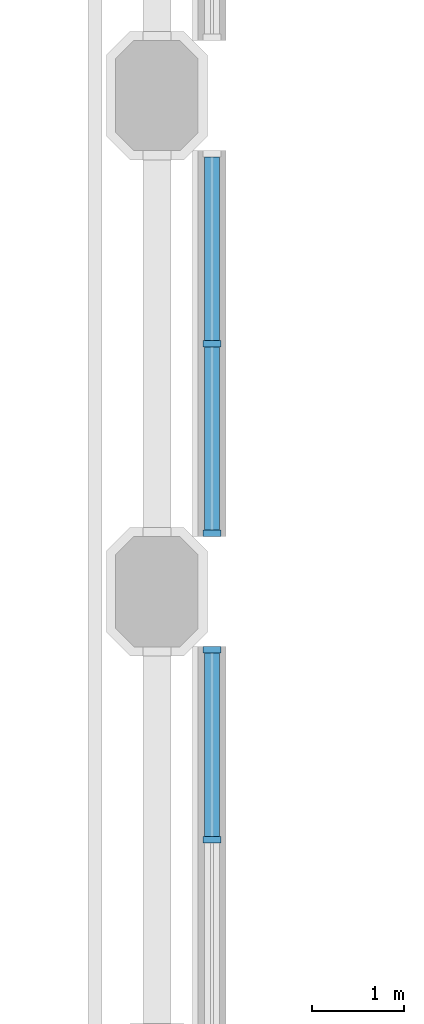
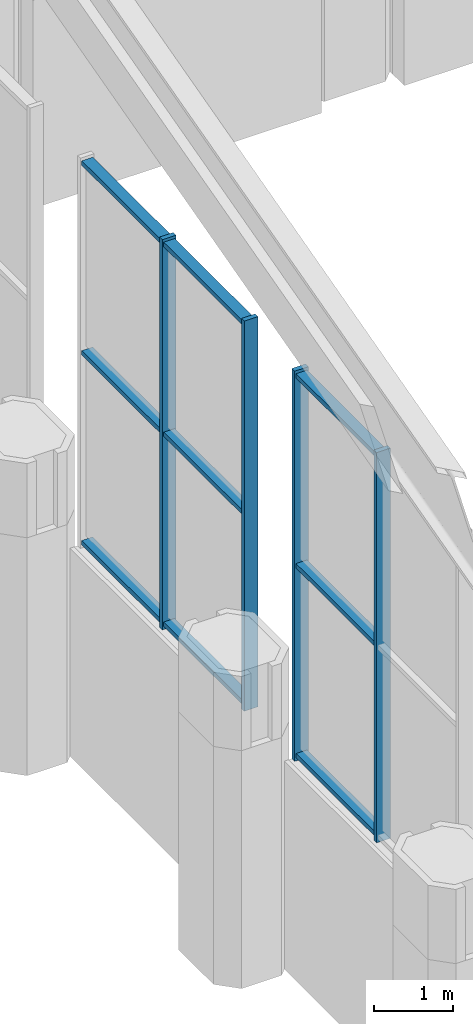
# One storey, part 14 of 42: 13 members, 2 elements without a shape of their own.
"""IFC4 building model written with IfcOpenShell, lengths in metres."""

from ifc_helpers import new_model, si_unit, direction, frame, origin, origin_2d, place, context, subcontext, project, spatial, rectangle, extrude, material, material_profile, profile_set, type_object, element, aggregate, save


model = new_model("IFC4")

# Units and contexts
model_context = context("Model", 3, precision=1e-05, world=origin(), true_north=direction((0.0, 1.0)))
body_context = subcontext(model_context, "Body", "Model", "MODEL_VIEW")
ifc_project = project(units=[si_unit("LENGTHUNIT", "METRE"), si_unit("AREAUNIT", "SQUARE_METRE"), si_unit("VOLUMEUNIT", "CUBIC_METRE"), si_unit("PLANEANGLEUNIT", "RADIAN"), si_unit("MASSUNIT", "GRAM", prefix="KILO")], contexts=[model_context])

# Site, building, storey
site_placement = place(None, origin())
site = spatial("IfcSite", under=ifc_project, at=site_placement, CompositionType="ELEMENT")
building_placement = place(site_placement, origin())
building = spatial("IfcBuilding", under=site, at=building_placement, Name="Tabaq Tower and Sports Hall", CompositionType="ELEMENT")
storey_placement = place(building_placement, frame((0.0, 0.0, 19.800048828125)))
storey = spatial("IfcBuildingStorey", under=building, at=storey_placement, Name="L03", CompositionType="ELEMENT", Elevation=19.800048828125)

# Curtain wall, members
ifc_material_1 = material(Name="Aluminium alloy 6063-T6 framed glazing", Category="aluminium")
curtain_wall_type = type_object("IfcCurtainWallType", Name="CW6 curtain wall", PredefinedType="USERDEFINED", material=ifc_material_1)
curtain_wall_1_placement = place(storey_placement, origin())
curtain_wall_1 = element("IfcCurtainWall", 1, at=curtain_wall_1_placement, inside=storey, type_object=curtain_wall_type, Name="L03 W hall glazing run", ObjectType="HALL FACADE WALL", PredefinedType="USERDEFINED")
ifc_material_2 = material(Name="Aluminium alloy 6063-T6", Category="aluminium")
ifc_material_profile_1 = material_profile(ifc_material_2, rectangle(XDim=0.199951171875, YDim=0.070068359375, at=origin_2d()), Name="MULLION 200x70")
ifc_profile_set_1 = profile_set([ifc_material_profile_1], Name="Aluminium alloy 6063-T6")
member_type_1 = type_object("IfcMemberType", Name="CW6 mullion 200x70", PredefinedType="MULLION", material=ifc_profile_set_1)
member_1_placement = place(storey_placement, frame((65.39990234375, 24.300048828125, 3.199951171875), z_axis=(0.0, 0.0, 1.0), x_axis=(-1.0, 0.0, 0.0)))
member_1 = element("IfcMember", 2, at=member_1_placement, type_object=member_type_1, Name="CW6 mullion 2", PredefinedType="MULLION", context=body_context, shape_type="SweptSolid", body=[
    extrude(rectangle(XDim=0.199951171875, YDim=0.070068359375, at=origin_2d()), origin(), (0.0, 0.0, 1.0), 6.0),
])
member_2_placement = place(storey_placement, frame((65.39990234375, 26.364990234375, 3.199951171875), z_axis=(0.0, 0.0, 1.0), x_axis=(-1.0, 0.0, 0.0)))
member_2 = element("IfcMember", 3, at=member_2_placement, type_object=member_type_1, Name="CW6 mullion 3", PredefinedType="MULLION", context=body_context, shape_type="SweptSolid", body=[
    extrude(rectangle(XDim=0.199951171875, YDim=0.070068359375, at=origin_2d()), origin(), (0.0, 0.0, 1.0), 6.0),
])

curtain_wall_2_placement = place(storey_placement, origin())
curtain_wall_2 = element("IfcCurtainWall", 4, at=curtain_wall_2_placement, inside=storey, type_object=curtain_wall_type, Name="L03 W hall glazing run", ObjectType="HALL FACADE WALL", PredefinedType="USERDEFINED")
member_3_placement = place(storey_placement, frame((65.39990234375, 27.635009765625, 3.199951171875), z_axis=(0.0, 0.0, 1.0), x_axis=(-1.0, 0.0, 0.0)))
member_3 = element("IfcMember", 5, at=member_3_placement, type_object=member_type_1, Name="CW6 mullion 1", PredefinedType="MULLION", context=body_context, shape_type="SweptSolid", body=[
    extrude(rectangle(XDim=0.199951171875, YDim=0.070068359375, at=origin_2d()), origin(), (0.0, 0.0, 1.0), 6.0),
])
member_4_placement = place(storey_placement, frame((65.39990234375, 29.699951171875, 3.199951171875), z_axis=(0.0, 0.0, 1.0), x_axis=(-1.0, 0.0, 0.0)))
member_4 = element("IfcMember", 6, at=member_4_placement, type_object=member_type_1, Name="CW6 mullion 2", PredefinedType="MULLION", context=body_context, shape_type="SweptSolid", body=[
    extrude(rectangle(XDim=0.199951171875, YDim=0.070068359375, at=origin_2d()), origin(), (0.0, 0.0, 1.0), 6.0),
])

# Member
ifc_material_3 = material(Name="Aluminium alloy 6063-T6", Category="aluminium")
ifc_material_profile_2 = material_profile(ifc_material_3, rectangle(XDim=0.159912109375, YDim=0.070068359375, at=origin_2d()), Name="TRANSOM 160x70")
ifc_profile_set_2 = profile_set([ifc_material_profile_2], Name="Aluminium alloy 6063-T6")
member_type_2 = type_object("IfcMemberType", Name="CW6 transom 160x70", PredefinedType="USERDEFINED", material=ifc_profile_set_2)
member_5_placement = place(storey_placement, frame((65.39990234375, 24.3349609375, 3.280029296875), z_axis=(0.0, 1.0, 0.0), x_axis=(-1.0, 0.0, 0.0)))
member_5 = element("IfcMember", 7, at=member_5_placement, type_object=member_type_2, Name="CW6 transom 2.1", ObjectType="TRANSOM", PredefinedType="USERDEFINED", context=body_context, shape_type="SweptSolid", body=[
    extrude(rectangle(XDim=0.159912109375, YDim=0.070068359375, at=origin_2d()), origin(), (0.0, 0.0, 1.0), 1.9951171875),
])

member_6_placement = place(storey_placement, frame((65.39990234375, 24.3349609375, 6.199951171875), z_axis=(0.0, 1.0, 0.0), x_axis=(-1.0, 0.0, 0.0)))
member_6 = element("IfcMember", 8, at=member_6_placement, type_object=member_type_2, Name="CW6 transom 2.2", ObjectType="TRANSOM", PredefinedType="USERDEFINED", context=body_context, shape_type="SweptSolid", body=[
    extrude(rectangle(XDim=0.159912109375, YDim=0.070068359375, at=origin_2d()), origin(), (0.0, 0.0, 1.0), 1.9951171875),
])

member_7_placement = place(storey_placement, frame((65.39990234375, 24.3349609375, 9.119873046875), z_axis=(0.0, 1.0, 0.0), x_axis=(-1.0, 0.0, 0.0)))
member_7 = element("IfcMember", 9, at=member_7_placement, type_object=member_type_2, Name="CW6 transom 2.3", ObjectType="TRANSOM", PredefinedType="USERDEFINED", context=body_context, shape_type="SweptSolid", body=[
    extrude(rectangle(XDim=0.159912109375, YDim=0.070068359375, at=origin_2d()), origin(), (0.0, 0.0, 1.0), 1.9951171875),
])

aggregate(curtain_wall_1, [member_1, member_2, member_5, member_6, member_7])

member_8_placement = place(storey_placement, frame((65.39990234375, 27.669921875, 3.280029296875), z_axis=(0.0, 1.0, 0.0), x_axis=(-1.0, 0.0, 0.0)))
member_8 = element("IfcMember", 10, at=member_8_placement, type_object=member_type_2, Name="CW6 transom 1.1", ObjectType="TRANSOM", PredefinedType="USERDEFINED", context=body_context, shape_type="SweptSolid", body=[
    extrude(rectangle(XDim=0.159912109375, YDim=0.070068359375, at=origin_2d()), origin(), (0.0, 0.0, 1.0), 1.9951171875),
])

member_9_placement = place(storey_placement, frame((65.39990234375, 27.669921875, 6.199951171875), z_axis=(0.0, 1.0, 0.0), x_axis=(-1.0, 0.0, 0.0)))
member_9 = element("IfcMember", 11, at=member_9_placement, type_object=member_type_2, Name="CW6 transom 1.2", ObjectType="TRANSOM", PredefinedType="USERDEFINED", context=body_context, shape_type="SweptSolid", body=[
    extrude(rectangle(XDim=0.159912109375, YDim=0.070068359375, at=origin_2d()), origin(), (0.0, 0.0, 1.0), 1.9951171875),
])

member_10_placement = place(storey_placement, frame((65.39990234375, 27.669921875, 9.119873046875), z_axis=(0.0, 1.0, 0.0), x_axis=(-1.0, 0.0, 0.0)))
member_10 = element("IfcMember", 12, at=member_10_placement, type_object=member_type_2, Name="CW6 transom 1.3", ObjectType="TRANSOM", PredefinedType="USERDEFINED", context=body_context, shape_type="SweptSolid", body=[
    extrude(rectangle(XDim=0.159912109375, YDim=0.070068359375, at=origin_2d()), origin(), (0.0, 0.0, 1.0), 1.9951171875),
])

member_11_placement = place(storey_placement, frame((65.39990234375, 29.735107421875, 3.280029296875), z_axis=(0.0, 1.0, 0.0), x_axis=(-1.0, 0.0, 0.0)))
member_11 = element("IfcMember", 13, at=member_11_placement, type_object=member_type_2, Name="CW6 transom 2.1", ObjectType="TRANSOM", PredefinedType="USERDEFINED", context=body_context, shape_type="SweptSolid", body=[
    extrude(rectangle(XDim=0.159912109375, YDim=0.070068359375, at=origin_2d()), origin(), (0.0, 0.0, 1.0), 1.994873046875),
])

member_12_placement = place(storey_placement, frame((65.39990234375, 29.735107421875, 6.199951171875), z_axis=(0.0, 1.0, 0.0), x_axis=(-1.0, 0.0, 0.0)))
member_12 = element("IfcMember", 14, at=member_12_placement, type_object=member_type_2, Name="CW6 transom 2.2", ObjectType="TRANSOM", PredefinedType="USERDEFINED", context=body_context, shape_type="SweptSolid", body=[
    extrude(rectangle(XDim=0.159912109375, YDim=0.070068359375, at=origin_2d()), origin(), (0.0, 0.0, 1.0), 1.994873046875),
])

member_13_placement = place(storey_placement, frame((65.39990234375, 29.735107421875, 9.119873046875), z_axis=(0.0, 1.0, 0.0), x_axis=(-1.0, 0.0, 0.0)))
member_13 = element("IfcMember", 15, at=member_13_placement, type_object=member_type_2, Name="CW6 transom 2.3", ObjectType="TRANSOM", PredefinedType="USERDEFINED", context=body_context, shape_type="SweptSolid", body=[
    extrude(rectangle(XDim=0.159912109375, YDim=0.070068359375, at=origin_2d()), origin(), (0.0, 0.0, 1.0), 1.994873046875),
])

aggregate(curtain_wall_2, [member_3, member_4, member_8, member_9, member_10, member_11, member_12, member_13])

save(model, "model.ifc")
